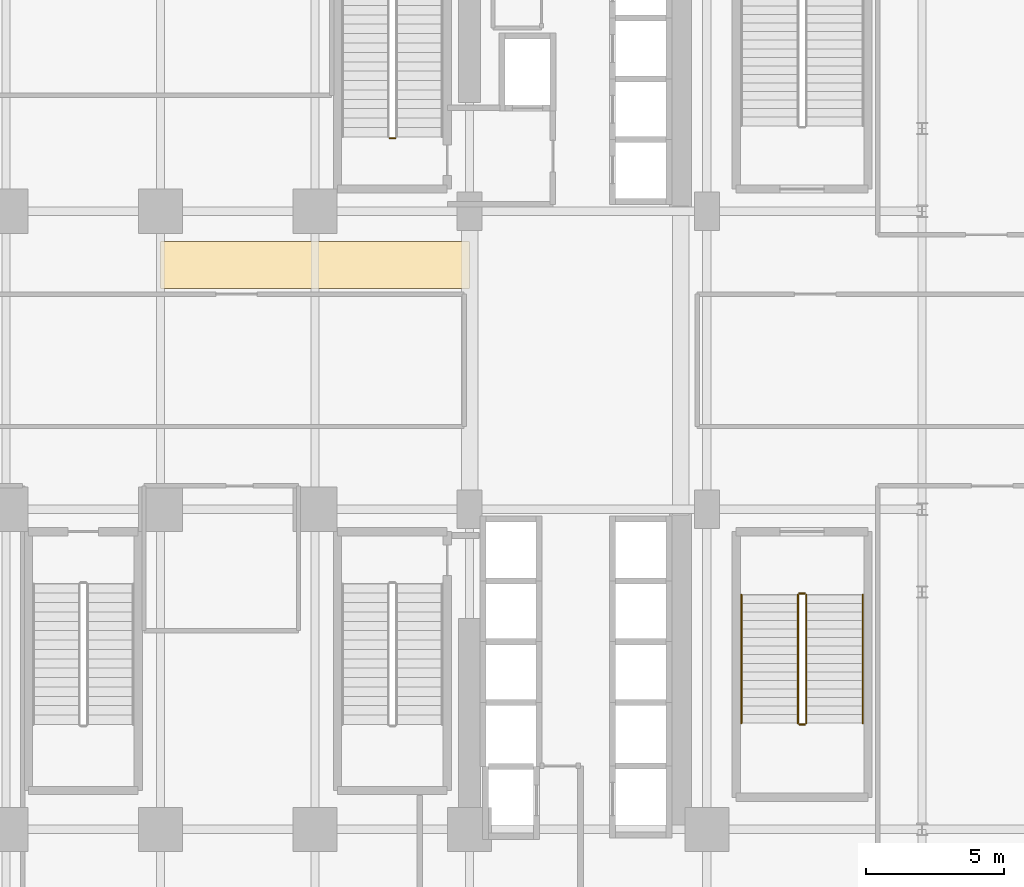
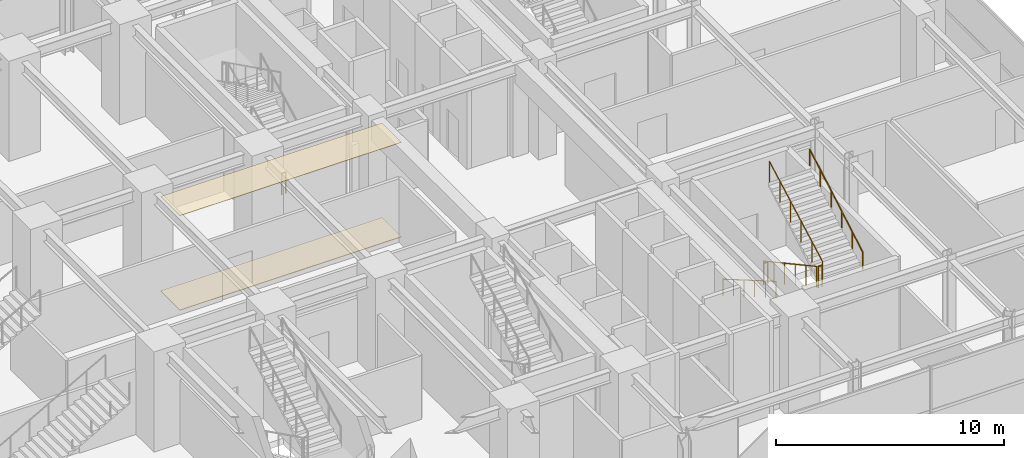
# One storey, part 32 of 34: 7 railings, 2 coverings.
"""IFC4 building model written with IfcOpenShell, lengths in metres."""

from ifc_helpers import new_model, si_unit, direction, frame, origin, origin_2d, place, context, subcontext, project, spatial, polyline, circle, outline, extrude, material, layer, layer_set, type_object, element, save


model = new_model("IFC4")

# Units and contexts
model_context = context("Model", 3, precision=1e-05, world=origin(), true_north=direction((0.0, 1.0)))
body_context = subcontext(model_context, "Body", "Model", "MODEL_VIEW")
ifc_project = project(units=[si_unit("LENGTHUNIT", "METRE"), si_unit("AREAUNIT", "SQUARE_METRE"), si_unit("VOLUMEUNIT", "CUBIC_METRE"), si_unit("PLANEANGLEUNIT", "RADIAN"), si_unit("MASSUNIT", "GRAM", prefix="KILO")], contexts=[model_context])

# Site, building, storey
site_placement = place(None, origin())
site = spatial("IfcSite", under=ifc_project, at=site_placement, CompositionType="ELEMENT")
building_placement = place(site_placement, origin())
building = spatial("IfcBuilding", under=site, at=building_placement, Name="Nahalor Promenade Grand Hotel", CompositionType="ELEMENT")
storey_placement = place(building_placement, frame((0.0, 0.0, 16.199951171875)))
storey = spatial("IfcBuildingStorey", under=building, at=storey_placement, Name="L03", CompositionType="ELEMENT", Elevation=16.199951171875)

# Coverings
ifc_material_1 = material(Name="Acoustic Mineral Gypsum", Category="gypsum")
ifc_layer_1 = layer(ifc_material_1, 0.02490234375)
ifc_layer_set_1 = layer_set([ifc_layer_1], Name="Acoustic Mineral Gypsum")
covering_type_1 = type_object("IfcCoveringType", Name="Acoustic Suspended Ceiling Tile", PredefinedType="CEILING", material=ifc_layer_set_1)
covering_1_placement = place(storey_placement, frame((0.0, 0.0, 5.054931640625)))
element("IfcCovering", 1, at=covering_1_placement, inside=storey, type_object=covering_type_1, Name="CV-CEIL-L03", PredefinedType="CEILING", context=body_context, shape_type="SweptSolid", body=[
    extrude(outline(polyline([(-2.800048828125, 2.60009765625), (8.39990234375, 2.60009765625), (8.39990234375, 4.300048828125), (-2.800048828125, 4.300048828125), (-2.800048828125, 2.60009765625)])), origin(), (0.0, 0.0, 1.0), 0.025146484375),
])
ifc_material_2 = material(Name="Jerusalem Limestone Flooring", Category="masonry")
ifc_layer_2 = layer(ifc_material_2, 0.030029296875)
ifc_layer_set_2 = layer_set([ifc_layer_2], Name="Jerusalem Limestone Flooring")
covering_type_2 = type_object("IfcCoveringType", Name="Honed Limestone Floor Finish", PredefinedType="FLOORING", material=ifc_layer_set_2)
covering_2_placement = place(storey_placement, origin())
element("IfcCovering", 2, at=covering_2_placement, inside=storey, type_object=covering_type_2, Name="CV-FLOR-L03", PredefinedType="FLOORING", context=body_context, shape_type="SweptSolid", body=[
    extrude(outline(polyline([(-2.800048828125, 2.60009765625), (8.39990234375, 2.60009765625), (8.39990234375, 4.300048828125), (-2.800048828125, 4.300048828125), (-2.800048828125, 2.60009765625)])), origin(), (0.0, 0.0, 1.0), 0.030029296875),
])

# Railings
ifc_material_3 = material(Name="Steel S355JR", Category="steel")
railing_type_1 = type_object("IfcRailingType", Name="Steel Stair Guardrail 1150 mm", PredefinedType="GUARDRAIL", material=ifc_material_3)
railing_1_placement = place(storey_placement, frame((5.699951171875, 8.050048828125, 0.0)))
element("IfcRailing", 3, at=railing_1_placement, inside=storey, type_object=railing_type_1, Name="L03 ST1 stair guard 4", PredefinedType="GUARDRAIL", context=body_context, shape_type="SweptSolid", body=[
    extrude(circle(Radius=0.024048, at=origin_2d()), frame((0.0, 0.0, 1.1259765625), z_axis=(-1.0, 0.0, 0.0), x_axis=(0.0, -1.0, 0.0)), (0.0, 0.0, 1.0), 0.199951171875),
    extrude(circle(Radius=0.020996, at=origin_2d()), origin(), (0.0, 0.0, 1.0), 1.099853515625),
    extrude(circle(Radius=0.020996, at=origin_2d()), frame((-0.199951171875, 0.0, 0.0)), (0.0, 0.0, 1.0), 1.099853515625),
])
railing_2_placement = place(storey_placement, frame((20.300048828125, -8.5, 0.168701171875)))
element("IfcRailing", 4, at=railing_2_placement, inside=storey, type_object=railing_type_1, Name="L03 ST5 stair guard 1", PredefinedType="GUARDRAIL", context=body_context, shape_type="SweptSolid", body=[
    extrude(circle(Radius=0.024048, at=origin_2d()), frame((0.0, 0.0, 1.1259765625), z_axis=(0.0, -0.878297076953, 0.478115304728), x_axis=(1.0, 0.0, 0.0)), (0.0, 0.0, 1.0), 5.294189453125),
    extrude(circle(Radius=0.020996, at=origin_2d()), origin(), (0.0, 0.0, 1.0), 1.099853515625),
    extrude(circle(Radius=0.020996, at=origin_2d()), frame((0.0, -0.929931640625, 0.50634765625)), (0.0, 0.0, 1.0), 1.099853515625),
    extrude(circle(Radius=0.020996, at=origin_2d()), frame((0.0, -1.85986328125, 1.012451171875)), (0.0, 0.0, 1.0), 1.099853515625),
    extrude(circle(Radius=0.020996, at=origin_2d()), frame((0.0, -2.7900390625, 1.518798828125)), (0.0, 0.0, 1.0), 1.099853515625),
    extrude(circle(Radius=0.020996, at=origin_2d()), frame((0.0, -3.719970703125, 2.02490234375)), (0.0, 0.0, 1.0), 1.099853515625),
    extrude(circle(Radius=0.020996, at=origin_2d()), frame((0.0, -4.64990234375, 2.53125)), (0.0, 0.0, 1.0), 1.099853515625),
])
railing_3_placement = place(storey_placement, frame((20.35009765625, -13.199951171875, 2.699951171875)))
element("IfcRailing", 5, at=railing_3_placement, inside=storey, type_object=railing_type_1, Name="L03 ST5 stair guard 2", PredefinedType="GUARDRAIL", context=body_context, shape_type="SweptSolid", body=[
    extrude(circle(Radius=0.024048, at=origin_2d()), frame((0.0, 0.0, 1.1259765625), z_axis=(1.0, 0.0, 0.0), x_axis=(0.0, 1.0, 0.0)), (0.0, 0.0, 1.0), 0.199951171875),
    extrude(circle(Radius=0.020996, at=origin_2d()), origin(), (0.0, 0.0, 1.0), 1.099853515625),
    extrude(circle(Radius=0.020996, at=origin_2d()), frame((0.199951171875, 0.0, 0.0)), (0.0, 0.0, 1.0), 1.099853515625),
])
railing_4_placement = place(storey_placement, frame((20.60009765625, -13.14990234375, 2.868896484375)))
element("IfcRailing", 6, at=railing_4_placement, inside=storey, type_object=railing_type_1, Name="L03 ST5 stair guard 3", PredefinedType="GUARDRAIL", context=body_context, shape_type="SweptSolid", body=[
    extrude(circle(Radius=0.024048, at=origin_2d()), frame((0.0, 0.0, 1.1259765625), z_axis=(0.0, 0.878297076953, 0.478115304728), x_axis=(-1.0, 0.0, 0.0)), (0.0, 0.0, 1.0), 5.294189453125),
    extrude(circle(Radius=0.020996, at=origin_2d()), origin(), (0.0, 0.0, 1.0), 1.099853515625),
    extrude(circle(Radius=0.020996, at=origin_2d()), frame((0.0, 0.929931640625, 0.50634765625)), (0.0, 0.0, 1.0), 1.099853515625),
    extrude(circle(Radius=0.020996, at=origin_2d()), frame((0.0, 1.85986328125, 1.012451171875)), (0.0, 0.0, 1.0), 1.099853515625),
    extrude(circle(Radius=0.020996, at=origin_2d()), frame((0.0, 2.7900390625, 1.518798828125)), (0.0, 0.0, 1.0), 1.099853515625),
    extrude(circle(Radius=0.020996, at=origin_2d()), frame((0.0, 3.719970703125, 2.02490234375)), (0.0, 0.0, 1.0), 1.099853515625),
    extrude(circle(Radius=0.020996, at=origin_2d()), frame((0.0, 4.64990234375, 2.53125)), (0.0, 0.0, 1.0), 1.099853515625),
])
railing_5_placement = place(storey_placement, frame((20.35009765625, -8.449951171875, 0.0)))
element("IfcRailing", 7, at=railing_5_placement, inside=storey, type_object=railing_type_1, Name="L03 ST5 stair guard 4", PredefinedType="GUARDRAIL", context=body_context, shape_type="SweptSolid", body=[
    extrude(circle(Radius=0.024048, at=origin_2d()), frame((0.0, 0.0, 1.1259765625), z_axis=(1.0, 0.0, 0.0), x_axis=(0.0, 1.0, 0.0)), (0.0, 0.0, 1.0), 0.199951171875),
    extrude(circle(Radius=0.020996, at=origin_2d()), origin(), (0.0, 0.0, 1.0), 1.099853515625),
    extrude(circle(Radius=0.020996, at=origin_2d()), frame((0.199951171875, 0.0, 0.0)), (0.0, 0.0, 1.0), 1.099853515625),
])
railing_type_2 = type_object("IfcRailingType", Name="Steel Stair Handrail 900 mm", PredefinedType="HANDRAIL", material=ifc_material_3)
railing_6_placement = place(storey_placement, frame((18.25, -8.5, 0.168701171875)))
element("IfcRailing", 8, at=railing_6_placement, inside=storey, type_object=railing_type_2, Name="L03 ST5 stair handrail 1", PredefinedType="HANDRAIL", context=body_context, shape_type="SweptSolid", body=[
    extrude(circle(Radius=0.024048, at=origin_2d()), frame((0.0, 0.0, 0.8759765625), z_axis=(0.0, -0.864768593507, 0.502170568318), x_axis=(1.0, 0.0, 0.0)), (0.0, 0.0, 1.0), 5.376953125),
    extrude(circle(Radius=0.020996, at=origin_2d()), origin(), (0.0, 0.0, 1.0), 0.849853515625),
    extrude(circle(Radius=0.020996, at=origin_2d()), frame((0.0, -0.929931640625, 0.5400390625)), (0.0, 0.0, 1.0), 0.849853515625),
    extrude(circle(Radius=0.020996, at=origin_2d()), frame((0.0, -1.85986328125, 1.080078125)), (0.0, 0.0, 1.0), 0.849853515625),
    extrude(circle(Radius=0.020996, at=origin_2d()), frame((0.0, -2.7900390625, 1.6201171875)), (0.0, 0.0, 1.0), 0.849853515625),
    extrude(circle(Radius=0.020996, at=origin_2d()), frame((0.0, -3.719970703125, 2.16015625)), (0.0, 0.0, 1.0), 0.849853515625),
    extrude(circle(Radius=0.020996, at=origin_2d()), frame((0.0, -4.64990234375, 2.7001953125)), (0.0, 0.0, 1.0), 0.849853515625),
])
railing_7_placement = place(storey_placement, frame((22.64990234375, -13.14990234375, 2.868896484375)))
element("IfcRailing", 9, at=railing_7_placement, inside=storey, type_object=railing_type_2, Name="L03 ST5 stair handrail 2", PredefinedType="HANDRAIL", context=body_context, shape_type="SweptSolid", body=[
    extrude(circle(Radius=0.024048, at=origin_2d()), frame((0.0, 0.0, 0.8759765625), z_axis=(0.0, 0.864788310583, 0.502136612766), x_axis=(-1.0, 0.0, 0.0)), (0.0, 0.0, 1.0), 5.376953125),
    extrude(circle(Radius=0.020996, at=origin_2d()), origin(), (0.0, 0.0, 1.0), 0.849853515625),
    extrude(circle(Radius=0.020996, at=origin_2d()), frame((0.0, 0.929931640625, 0.5400390625)), (0.0, 0.0, 1.0), 0.849853515625),
    extrude(circle(Radius=0.020996, at=origin_2d()), frame((0.0, 1.85986328125, 1.080078125)), (0.0, 0.0, 1.0), 0.849853515625),
    extrude(circle(Radius=0.020996, at=origin_2d()), frame((0.0, 2.7900390625, 1.619873046875)), (0.0, 0.0, 1.0), 0.849853515625),
    extrude(circle(Radius=0.020996, at=origin_2d()), frame((0.0, 3.719970703125, 2.159912109375)), (0.0, 0.0, 1.0), 0.849853515625),
    extrude(circle(Radius=0.020996, at=origin_2d()), frame((0.0, 4.64990234375, 2.699951171875)), (0.0, 0.0, 1.0), 0.849853515625),
])

save(model, "model.ifc")
